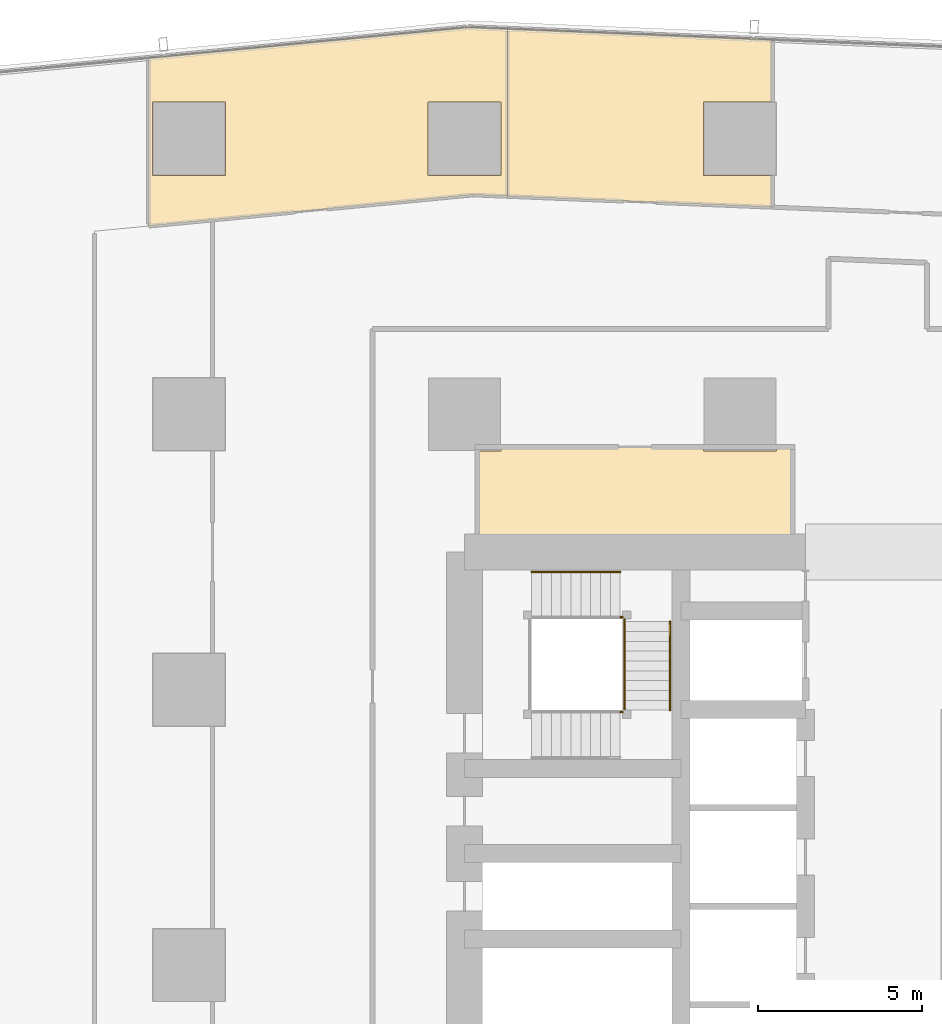
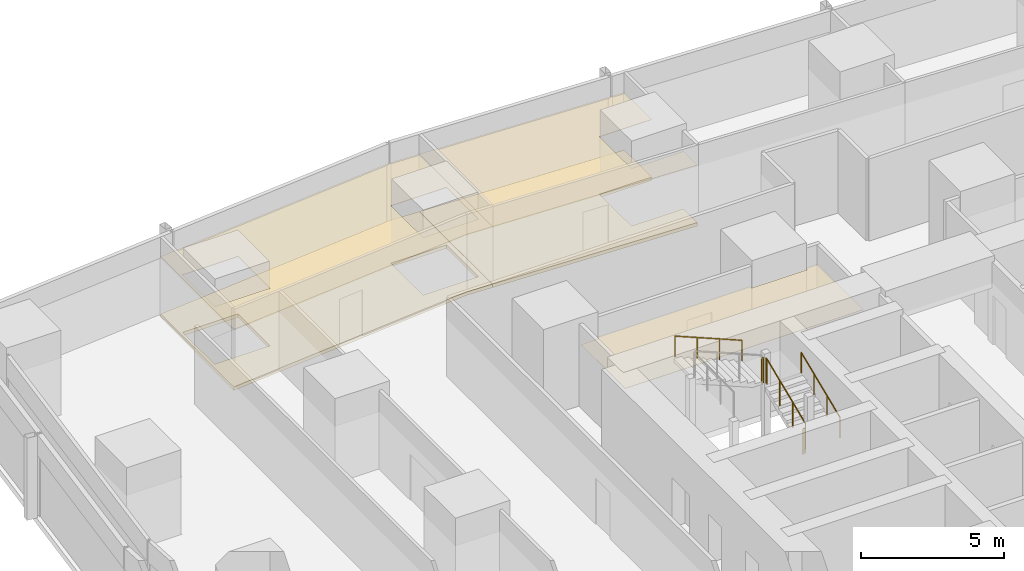
# One storey, part 41 of 44: 6 railings, 5 coverings.
"""IFC4 building model written with IfcOpenShell, lengths in metres."""

from ifc_helpers import new_model, si_unit, direction, frame, origin, origin_2d, place, context, subcontext, project, spatial, polyline, circle, outline, extrude, material, layer, layer_set, type_object, element, save


model = new_model("IFC4")

# Units and contexts
model_context = context("Model", 3, precision=1e-05, world=origin(), true_north=direction((0.0, 1.0)))
body_context = subcontext(model_context, "Body", "Model", "MODEL_VIEW")
ifc_project = project(units=[si_unit("LENGTHUNIT", "METRE"), si_unit("AREAUNIT", "SQUARE_METRE"), si_unit("VOLUMEUNIT", "CUBIC_METRE"), si_unit("PLANEANGLEUNIT", "RADIAN"), si_unit("MASSUNIT", "GRAM", prefix="KILO")], contexts=[model_context])

# Site, building, storey
site_placement = place(None, origin())
site = spatial("IfcSite", under=ifc_project, at=site_placement, CompositionType="ELEMENT")
building_placement = place(site_placement, origin())
building = spatial("IfcBuilding", under=site, at=building_placement, Name="Rekha Terrace Tower", CompositionType="ELEMENT")
storey_placement = place(building_placement, frame((0.0, 0.0, 59.14990234375)))
storey = spatial("IfcBuildingStorey", under=building, at=storey_placement, Name="L14", CompositionType="ELEMENT", Elevation=59.14990234375)

# Coverings
ifc_material_1 = material(Name="Mineral fibre tile in exposed grid", Category="finish")
ifc_layer_1 = layer(ifc_material_1, 0.02001953125)
ifc_layer_set_1 = layer_set([ifc_layer_1], Name="Mineral fibre tile in exposed grid")
covering_type_1 = type_object("IfcCoveringType", Name="CL1 600x1200 office grid ceiling", PredefinedType="CEILING", material=ifc_layer_set_1)
covering_1_placement = place(storey_placement, frame((0.0, 0.0, 2.580078125)))
element("IfcCovering", 1, at=covering_1_placement, inside=storey, type_object=covering_type_1, Name="Ceiling L14-18", PredefinedType="CEILING", context=body_context, shape_type="SweptSolid", body=[
    extrude(outline(polyline([(34.5830078125, 59.9150390625), (34.5830078125, 61.818115234375), (26.510009765625, 62.15087890625), (26.510009765625, 57.047119140625), (34.5830078125, 56.714111328125), (34.5830078125, 57.68505859375), (32.485107421875, 57.68505859375), (32.485107421875, 59.9150390625), (34.5830078125, 59.9150390625)])), origin(), (0.0, 0.0, 1.0), 0.02001953125),
])
covering_2_placement = place(storey_placement, frame((0.0, 0.0, 2.580078125)))
element("IfcCovering", 2, at=covering_2_placement, inside=storey, type_object=covering_type_1, Name="Ceiling L14-19", PredefinedType="CEILING", context=body_context, shape_type="SweptSolid", body=[
    extrude(outline(polyline([(25.325927734375, 62.199951171875), (15.572998046875, 61.261962890625), (15.572998046875, 56.138916015625), (25.466064453125, 57.090087890625), (26.509033203125, 57.047119140625), (26.509033203125, 62.15087890625), (25.325927734375, 62.199951171875)]), holes=[polyline([(26.31494140625, 57.68505859375), (24.0849609375, 57.68505859375), (24.0849609375, 59.9150390625), (26.31494140625, 59.9150390625), (26.31494140625, 57.68505859375)]), polyline([(17.9150390625, 57.68505859375), (15.68505859375, 57.68505859375), (15.68505859375, 59.9150390625), (17.9150390625, 59.9150390625), (17.9150390625, 57.68505859375)])]), origin(), (0.0, 0.0, 1.0), 0.02001953125),
])
ifc_material_2 = material(Name="Fibre cement board", Category="finish")
ifc_layer_2 = layer(ifc_material_2, 0.014892578125)
ifc_layer_set_2 = layer_set([ifc_layer_2], Name="Fibre cement board")
covering_type_2 = type_object("IfcCoveringType", Name="CL2 moisture-resistant board ceiling", PredefinedType="CEILING", material=ifc_layer_set_2)
covering_3_placement = place(storey_placement, frame((0.0, 0.0, 2.585205078125)))
element("IfcCovering", 3, at=covering_3_placement, inside=storey, type_object=covering_type_2, Name="Ceiling L14-WCF2", PredefinedType="CEILING", context=body_context, shape_type="SweptSolid", body=[
    extrude(outline(polyline([(26.31494140625, 49.284912109375), (25.60009765625, 49.284912109375), (25.60009765625, 46.199951171875), (35.199951171875, 46.199951171875), (35.199951171875, 49.39990234375), (34.715087890625, 49.39990234375), (34.715087890625, 49.284912109375), (32.485107421875, 49.284912109375), (32.485107421875, 49.39990234375), (26.31494140625, 49.39990234375), (26.31494140625, 49.284912109375)])), origin(), (0.0, 0.0, 1.0), 0.014892578125),
])

# Railings
ifc_material_3 = material(Name="Stainless steel balustrade", Category="steel")
railing_type_1 = type_object("IfcRailingType", Name="GR1 1100 stair guard", PredefinedType="GUARDRAIL", material=ifc_material_3)
railing_1_placement = place(storey_placement, frame((30.0849609375, 41.375, 1.375)))
element("IfcRailing", 4, at=railing_1_placement, inside=storey, type_object=railing_type_1, Name="Guard ST4 L14 flight 2", PredefinedType="GUARDRAIL", context=body_context, shape_type="SweptSolid", body=[
    extrude(circle(Radius=0.02392578125, at=origin_2d()), frame((0.0, 0.0, 1.076171875), z_axis=(0.0, 0.923074453586, 0.384621311341), x_axis=(-1.0, 0.0, 0.0)), (0.0, 0.0, 1.0), 2.925048828125),
    extrude(circle(Radius=0.02099609375, at=origin_2d()), origin(), (0.0, 0.0, 1.0), 1.052001953125),
    extrude(circle(Radius=0.02099609375, at=origin_2d()), frame((0.0, 0.89990234375, 0.375)), (0.0, 0.0, 1.0), 1.052001953125),
    extrude(circle(Radius=0.02099609375, at=origin_2d()), frame((0.0, 1.800048828125, 0.75)), (0.0, 0.0, 1.0), 1.052001953125),
    extrude(circle(Radius=0.02099609375, at=origin_2d()), frame((0.0, 2.699951171875, 1.125)), (0.0, 0.0, 1.0), 1.052001953125),
])
railing_2_placement = place(storey_placement, frame((29.949951171875, 41.31494140625, 1.25)))
element("IfcRailing", 5, at=railing_2_placement, inside=storey, type_object=railing_type_1, Name="Guard ST4 L14 landing 1", PredefinedType="GUARDRAIL", context=body_context, shape_type="SweptSolid", body=[
    extrude(circle(Radius=0.02392578125, at=origin_2d()), frame((0.0, 0.0, 1.076171875), z_axis=(1.0, 0.0, 0.0), x_axis=(0.0, 1.0, 0.0)), (0.0, 0.0, 1.0), 0.074951171875),
    extrude(circle(Radius=0.02099609375, at=origin_2d()), origin(), (0.0, 0.0, 1.0), 1.052001953125),
    extrude(circle(Radius=0.02099609375, at=origin_2d()), frame((0.074951171875, 0.0, 0.0)), (0.0, 0.0, 1.0), 1.052001953125),
])
railing_3_placement = place(storey_placement, frame((30.0849609375, 44.074951171875, 2.5)))
element("IfcRailing", 6, at=railing_3_placement, inside=storey, type_object=railing_type_1, Name="Guard ST4 L14 landing 2", PredefinedType="GUARDRAIL", context=body_context, shape_type="SweptSolid", body=[
    extrude(circle(Radius=0.02392578125, at=origin_2d()), frame((0.0, 0.0, 1.076171875), z_axis=(0.0, 1.0, 0.0), x_axis=(-1.0, 0.0, 0.0)), (0.0, 0.0, 1.0), 0.074951171875),
    extrude(circle(Radius=0.02099609375, at=origin_2d()), origin(), (0.0, 0.0, 1.0), 1.052001953125),
    extrude(circle(Radius=0.02099609375, at=origin_2d()), frame((0.0, 0.074951171875, 0.0)), (0.0, 0.0, 1.0), 1.052001953125),
])
railing_4_placement = place(storey_placement, frame((29.949951171875, 44.2099609375, 2.5)))
element("IfcRailing", 7, at=railing_4_placement, inside=storey, type_object=railing_type_1, Name="Guard ST4 L14 landing 3", PredefinedType="GUARDRAIL", context=body_context, shape_type="SweptSolid", body=[
    extrude(circle(Radius=0.02392578125, at=origin_2d()), frame((0.0, 0.0, 1.076171875), z_axis=(1.0, 0.0, 0.0), x_axis=(0.0, 1.0, 0.0)), (0.0, 0.0, 1.0), 0.074951171875),
    extrude(circle(Radius=0.02099609375, at=origin_2d()), origin(), (0.0, 0.0, 1.0), 1.052001953125),
    extrude(circle(Radius=0.02099609375, at=origin_2d()), frame((0.074951171875, 0.0, 0.0)), (0.0, 0.0, 1.0), 1.052001953125),
])
ifc_material_4 = material(Name="Stainless steel tube", Category="steel")
railing_type_2 = type_object("IfcRailingType", Name="HR1 900 stair handrail", PredefinedType="HANDRAIL", material=ifc_material_4)
railing_5_placement = place(storey_placement, frame((31.465087890625, 41.375, 1.375)))
element("IfcRailing", 8, at=railing_5_placement, inside=storey, type_object=railing_type_2, Name="Handrail ST4 L14 flight 2", PredefinedType="HANDRAIL", context=body_context, shape_type="SweptSolid", body=[
    extrude(circle(Radius=0.02392578125, at=origin_2d()), frame((0.0, 0.0, 0.8759765625), z_axis=(0.0, 0.923074453586, 0.384621311341), x_axis=(-1.0, 0.0, 0.0)), (0.0, 0.0, 1.0), 2.925048828125),
    extrude(circle(Radius=0.02099609375, at=origin_2d()), origin(), (0.0, 0.0, 1.0), 0.851806640625),
    extrude(circle(Radius=0.02099609375, at=origin_2d()), frame((0.0, 0.89990234375, 0.375)), (0.0, 0.0, 1.0), 0.851806640625),
    extrude(circle(Radius=0.02099609375, at=origin_2d()), frame((0.0, 1.800048828125, 0.75)), (0.0, 0.0, 1.0), 0.851806640625),
    extrude(circle(Radius=0.02099609375, at=origin_2d()), frame((0.0, 2.699951171875, 1.125)), (0.0, 0.0, 1.0), 0.851806640625),
])
railing_6_placement = place(storey_placement, frame((29.949951171875, 45.590087890625, 2.625)))
element("IfcRailing", 9, at=railing_6_placement, inside=storey, type_object=railing_type_2, Name="Handrail ST4 L14 flight 3", PredefinedType="HANDRAIL", context=body_context, shape_type="SweptSolid", body=[
    extrude(circle(Radius=0.02392578125, at=origin_2d()), frame((0.0, 0.0, 0.8759765625), z_axis=(-0.923074453586, 0.0, 0.384621311341), x_axis=(0.0, -1.0, 0.0)), (0.0, 0.0, 1.0), 2.925048828125),
    extrude(circle(Radius=0.02099609375, at=origin_2d()), origin(), (0.0, 0.0, 1.0), 0.851806640625),
    extrude(circle(Radius=0.02099609375, at=origin_2d()), frame((-0.89990234375, 0.0, 0.375)), (0.0, 0.0, 1.0), 0.851806640625),
    extrude(circle(Radius=0.02099609375, at=origin_2d()), frame((-1.800048828125, 0.0, 0.75)), (0.0, 0.0, 1.0), 0.851806640625),
    extrude(circle(Radius=0.02099609375, at=origin_2d()), frame((-2.699951171875, 0.0, 1.125)), (0.0, 0.0, 1.0), 0.851806640625),
])

# Coverings
ifc_material_5 = material(Name="Calcium sulphate panels on steel pedestals", Category="steel")
ifc_layer_3 = layer(ifc_material_5, 0.14990234375)
ifc_layer_set_3 = layer_set([ifc_layer_3], Name="Calcium sulphate panels on steel pedestals")
covering_type_3 = type_object("IfcCoveringType", Name="RF1 150 raised access floor", PredefinedType="FLOORING", material=ifc_layer_set_3)
covering_4_placement = place(storey_placement, origin())
element("IfcCovering", 10, at=covering_4_placement, inside=storey, type_object=covering_type_3, Name="Raised floor L14-18", PredefinedType="FLOORING", context=body_context, shape_type="SweptSolid", body=[
    extrude(outline(polyline([(34.5830078125, 59.9150390625), (34.5830078125, 61.818115234375), (26.510009765625, 62.15087890625), (26.510009765625, 57.047119140625), (34.5830078125, 56.714111328125), (34.5830078125, 57.68505859375), (32.485107421875, 57.68505859375), (32.485107421875, 59.9150390625), (34.5830078125, 59.9150390625)])), origin(), (0.0, 0.0, 1.0), 0.150146484375),
])
covering_5_placement = place(storey_placement, origin())
element("IfcCovering", 11, at=covering_5_placement, inside=storey, type_object=covering_type_3, Name="Raised floor L14-19", PredefinedType="FLOORING", context=body_context, shape_type="SweptSolid", body=[
    extrude(outline(polyline([(25.325927734375, 62.199951171875), (15.572998046875, 61.261962890625), (15.572998046875, 56.138916015625), (25.466064453125, 57.090087890625), (26.509033203125, 57.047119140625), (26.509033203125, 62.15087890625), (25.325927734375, 62.199951171875)]), holes=[polyline([(26.31494140625, 57.68505859375), (24.0849609375, 57.68505859375), (24.0849609375, 59.9150390625), (26.31494140625, 59.9150390625), (26.31494140625, 57.68505859375)]), polyline([(17.9150390625, 57.68505859375), (15.68505859375, 57.68505859375), (15.68505859375, 59.9150390625), (17.9150390625, 59.9150390625), (17.9150390625, 57.68505859375)])]), origin(), (0.0, 0.0, 1.0), 0.150146484375),
])

save(model, "model.ifc")
